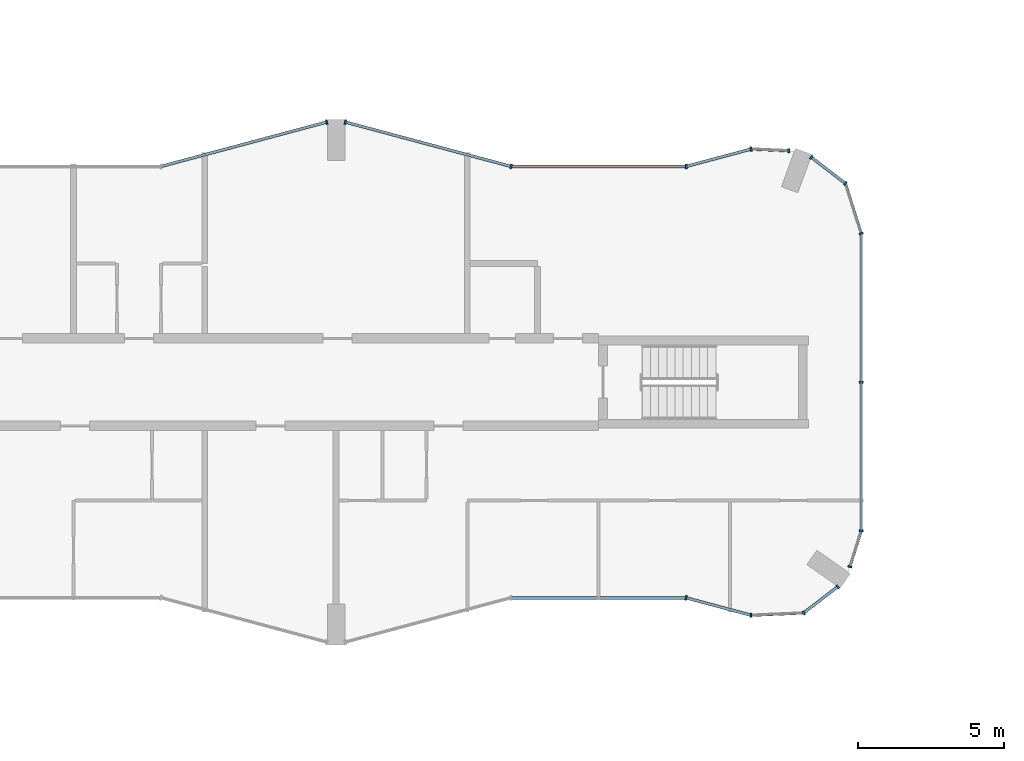
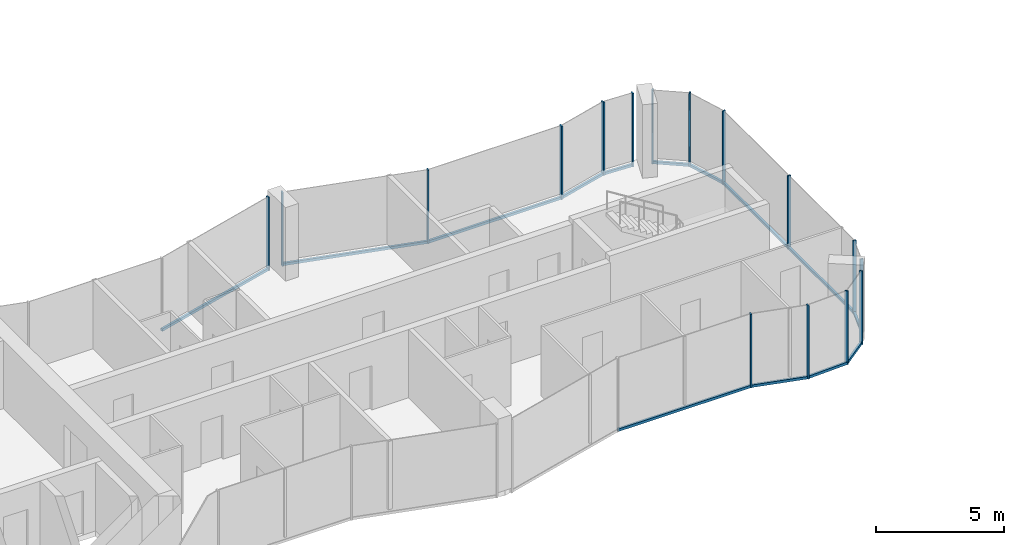
# One storey, part 5 of 22: 29 members, 13 elements without a shape of their own.
"""IFC4 building model written with IfcOpenShell, lengths in metres."""

from ifc_helpers import new_model, si_unit, direction, frame, origin, origin_2d, place, context, subcontext, project, spatial, rectangle, extrude, material, layer, layer_set, material_profile, profile_set, type_object, element, aggregate, save


model = new_model("IFC4")

# Units and contexts
model_context = context("Model", 3, precision=1e-05, world=origin(), true_north=direction((0.0, 1.0)))
body_context = subcontext(model_context, "Body", "Model", "MODEL_VIEW")
ifc_project = project(units=[si_unit("LENGTHUNIT", "METRE"), si_unit("AREAUNIT", "SQUARE_METRE"), si_unit("VOLUMEUNIT", "CUBIC_METRE"), si_unit("PLANEANGLEUNIT", "RADIAN"), si_unit("MASSUNIT", "GRAM", prefix="KILO")], contexts=[model_context])

# Site, building, storey
site_placement = place(None, origin())
site = spatial("IfcSite", under=ifc_project, at=site_placement, CompositionType="ELEMENT")
building_placement = place(site_placement, origin())
building = spatial("IfcBuilding", under=site, at=building_placement, Name="Plateau Cross Towers", CompositionType="ELEMENT")
storey_placement = place(building_placement, frame((0.0, 0.0, 113.300048828125)))
storey = spatial("IfcBuildingStorey", under=building, at=storey_placement, Name="L29", CompositionType="ELEMENT", Elevation=113.300048828125)

# Curtain wall, member
ifc_material_1 = material(Name="Dark low-iron glass", Category="glass")
ifc_layer_1 = layer(ifc_material_1, 0.239990234375)
ifc_layer_set_1 = layer_set([ifc_layer_1], Name="Dark low-iron glass")
curtain_wall_type_1 = type_object("IfcCurtainWallType", Name="Curtain wall flush unitised CW-B", PredefinedType="NOTDEFINED", material=ifc_layer_set_1)
curtain_wall_1_placement = place(storey_placement, origin())
curtain_wall_1 = element("IfcCurtainWall", 1, at=curtain_wall_1_placement, inside=storey, type_object=curtain_wall_type_1, Name="ENV/A/L29/A502_10", PredefinedType="NOTDEFINED")
ifc_material_2 = material(Name="Black anodised aluminium", Category="aluminium")
ifc_material_profile_1 = material_profile(ifc_material_2, rectangle(XDim=0.06005859375, YDim=0.139892578125, at=origin_2d()), Name="MULLION 60x140")
ifc_profile_set_1 = profile_set([ifc_material_profile_1], Name="Black anodised aluminium")
member_type_1 = type_object("IfcMemberType", Name="Mullion 60x140 flush unitised", PredefinedType="MULLION", material=ifc_profile_set_1)
member_1_placement = place(storey_placement, frame((50.223876953125, 1.01123046875, -0.25), z_axis=(0.0, 0.0, 1.0), x_axis=(0.999043701491, 0.043722791671, 0.0)))
member_1 = element("IfcMember", 2, at=member_1_placement, type_object=member_type_1, Name="CW-B mullion 1", PredefinedType="MULLION", context=body_context, shape_type="SweptSolid", body=[
    extrude(rectangle(XDim=0.06005859375, YDim=0.139892578125, at=origin_2d()), origin(), (0.0, 0.0, 1.0), 3.5),
])

# Curtain wall, members
curtain_wall_2_placement = place(storey_placement, origin())
curtain_wall_2 = element("IfcCurtainWall", 3, at=curtain_wall_2_placement, inside=storey, type_object=curtain_wall_type_1, Name="ENV/A/L29/A520_11", PredefinedType="NOTDEFINED")
member_2_placement = place(storey_placement, frame((52.0263671875, 1.090087890625, -0.25), z_axis=(0.0, 0.0, 1.0), x_axis=(0.793315514529, 0.608810721331, 0.0)))
member_2 = element("IfcMember", 4, at=member_2_placement, type_object=member_type_1, Name="CW-B mullion 1", PredefinedType="MULLION", context=body_context, shape_type="SweptSolid", body=[
    extrude(rectangle(XDim=0.06005859375, YDim=0.139892578125, at=origin_2d()), origin(), (0.0, 0.0, 1.0), 3.5),
])
member_3_placement = place(storey_placement, frame((53.193603515625, 1.986083984375, -0.25), z_axis=(0.0, 0.0, 1.0), x_axis=(0.793315514529, 0.608810721331, 0.0)))
member_3 = element("IfcMember", 5, at=member_3_placement, type_object=member_type_1, Name="CW-B mullion 2", PredefinedType="MULLION", context=body_context, shape_type="SweptSolid", body=[
    extrude(rectangle(XDim=0.06005859375, YDim=0.139892578125, at=origin_2d()), origin(), (0.0, 0.0, 1.0), 3.5),
])

# Curtain wall, member
curtain_wall_3_placement = place(storey_placement, origin())
curtain_wall_3 = element("IfcCurtainWall", 6, at=curtain_wall_3_placement, inside=storey, type_object=curtain_wall_type_1, Name="ENV/A/L29/A536_27", PredefinedType="NOTDEFINED")
member_4_placement = place(storey_placement, frame((53.611083984375, 2.67529296875, -0.25), z_axis=(0.0, 0.0, 1.0), x_axis=(0.300686174994, 0.95372313811, 0.0)))
member_4 = element("IfcMember", 7, at=member_4_placement, type_object=member_type_1, Name="CW-B mullion 1", PredefinedType="MULLION", context=body_context, shape_type="SweptSolid", body=[
    extrude(rectangle(XDim=0.06005859375, YDim=0.139892578125, at=origin_2d()), origin(), (0.0, 0.0, 1.0), 3.5),
])

# Curtain wall, members
curtain_wall_4_placement = place(storey_placement, origin())
curtain_wall_4 = element("IfcCurtainWall", 8, at=curtain_wall_4_placement, inside=storey, type_object=curtain_wall_type_1, Name="ENV/A/L29/A540_39", PredefinedType="NOTDEFINED")
member_5_placement = place(storey_placement, frame((54.0, 3.9091796875, -0.25), z_axis=(0.0, 0.0, 1.0), x_axis=(0.0, 1.0, 0.0)))
member_5 = element("IfcMember", 9, at=member_5_placement, type_object=member_type_1, Name="CW-B mullion 1", PredefinedType="MULLION", context=body_context, shape_type="SweptSolid", body=[
    extrude(rectangle(XDim=0.06005859375, YDim=0.139892578125, at=origin_2d()), origin(), (0.0, 0.0, 1.0), 3.5),
])
member_6_placement = place(storey_placement, frame((54.0, 9.0, -0.25), z_axis=(0.0, 0.0, 1.0), x_axis=(0.0, 1.0, 0.0)))
member_6 = element("IfcMember", 10, at=member_6_placement, type_object=member_type_1, Name="CW-B mullion 2", PredefinedType="MULLION", context=body_context, shape_type="SweptSolid", body=[
    extrude(rectangle(XDim=0.06005859375, YDim=0.139892578125, at=origin_2d()), origin(), (0.0, 0.0, 1.0), 3.5),
])

# Curtain wall, member
curtain_wall_5_placement = place(storey_placement, origin())
curtain_wall_5 = element("IfcCurtainWall", 11, at=curtain_wall_5_placement, inside=storey, type_object=curtain_wall_type_1, Name="ENV/A/L29/A540_141", PredefinedType="NOTDEFINED")
member_7_placement = place(storey_placement, frame((54.0, 14.0908203125, -0.25), z_axis=(0.0, 0.0, 1.0), x_axis=(-0.300686174994, 0.95372313811, 0.0)))
member_7 = element("IfcMember", 12, at=member_7_placement, type_object=member_type_1, Name="CW-B mullion 1", PredefinedType="MULLION", context=body_context, shape_type="SweptSolid", body=[
    extrude(rectangle(XDim=0.06005859375, YDim=0.139892578125, at=origin_2d()), origin(), (0.0, 0.0, 1.0), 3.5),
])

# Curtain wall, members
curtain_wall_6_placement = place(storey_placement, origin())
curtain_wall_6 = element("IfcCurtainWall", 13, at=curtain_wall_6_placement, inside=storey, type_object=curtain_wall_type_1, Name="ENV/A/L29/A535_158", PredefinedType="NOTDEFINED")
member_8_placement = place(storey_placement, frame((53.45751953125, 15.8115234375, -0.25), z_axis=(0.0, 0.0, 1.0), x_axis=(-0.793315514529, 0.608810721331, 0.0)))
member_8 = element("IfcMember", 14, at=member_8_placement, type_object=member_type_1, Name="CW-B mullion 1", PredefinedType="MULLION", context=body_context, shape_type="SweptSolid", body=[
    extrude(rectangle(XDim=0.06005859375, YDim=0.139892578125, at=origin_2d()), origin(), (0.0, 0.0, 1.0), 3.5),
])
member_9_placement = place(storey_placement, frame((52.290283203125, 16.707275390625, -0.25), z_axis=(0.0, 0.0, 1.0), x_axis=(-0.793315514529, 0.608810721331, 0.0)))
member_9 = element("IfcMember", 15, at=member_9_placement, type_object=member_type_1, Name="CW-B mullion 2", PredefinedType="MULLION", context=body_context, shape_type="SweptSolid", body=[
    extrude(rectangle(XDim=0.06005859375, YDim=0.139892578125, at=origin_2d()), origin(), (0.0, 0.0, 1.0), 3.5),
])

# Curtain wall, member
curtain_wall_7_placement = place(storey_placement, origin())
curtain_wall_7 = element("IfcCurtainWall", 16, at=curtain_wall_7_placement, inside=storey, type_object=curtain_wall_type_1, Name="ENV/A/L29/A515_169", PredefinedType="NOTDEFINED")
member_10_placement = place(storey_placement, frame((51.516357421875, 16.93212890625, -0.25), z_axis=(0.0, 0.0, 1.0), x_axis=(-0.999043701491, 0.043722791671, 0.0)))
member_10 = element("IfcMember", 17, at=member_10_placement, type_object=member_type_1, Name="CW-B mullion 1", PredefinedType="MULLION", context=body_context, shape_type="SweptSolid", body=[
    extrude(rectangle(XDim=0.06005859375, YDim=0.139892578125, at=origin_2d()), origin(), (0.0, 0.0, 1.0), 3.5),
])

ifc_layer_2 = layer(ifc_material_1, 0.260009765625)
ifc_layer_set_2 = layer_set([ifc_layer_2], Name="Dark low-iron glass")
curtain_wall_type_2 = type_object("IfcCurtainWallType", Name="Curtain wall fluted unitised CW-A", PredefinedType="NOTDEFINED", material=ifc_layer_set_2)
curtain_wall_8_placement = place(storey_placement, origin())
curtain_wall_8 = element("IfcCurtainWall", 18, at=curtain_wall_8_placement, inside=storey, type_object=curtain_wall_type_2, Name="ENV/A/L29/A480_16", PredefinedType="NOTDEFINED")
ifc_material_profile_2 = material_profile(ifc_material_2, rectangle(XDim=0.06005859375, YDim=0.159912109375, at=origin_2d()), Name="MULLION 60x160")
ifc_profile_set_2 = profile_set([ifc_material_profile_2], Name="Black anodised aluminium")
member_type_2 = type_object("IfcMemberType", Name="Mullion 60x160 fluted unitised", PredefinedType="MULLION", material=ifc_profile_set_2)
member_11_placement = place(storey_placement, frame((48.0, 1.60693359375, -0.25), z_axis=(0.0, 0.0, 1.0), x_axis=(0.965957962328, -0.258699081978, 0.0)))
member_11 = element("IfcMember", 19, at=member_11_placement, type_object=member_type_2, Name="CW-A mullion 1", PredefinedType="MULLION", context=body_context, shape_type="SweptSolid", body=[
    extrude(rectangle(XDim=0.06005859375, YDim=0.159912109375, at=origin_2d()), origin(), (0.0, 0.0, 1.0), 3.5),
])

curtain_wall_9_placement = place(storey_placement, origin())
curtain_wall_9 = element("IfcCurtainWall", 20, at=curtain_wall_9_placement, inside=storey, type_object=curtain_wall_type_2, Name="ENV/A/L29/A502_170", PredefinedType="NOTDEFINED")
member_12_placement = place(storey_placement, frame((50.223876953125, 16.98876953125, -0.25), z_axis=(0.0, 0.0, 1.0), x_axis=(-0.965957962328, -0.258699081978, 0.0)))
member_12 = element("IfcMember", 21, at=member_12_placement, type_object=member_type_2, Name="CW-A mullion 1", PredefinedType="MULLION", context=body_context, shape_type="SweptSolid", body=[
    extrude(rectangle(XDim=0.06005859375, YDim=0.159912109375, at=origin_2d()), origin(), (0.0, 0.0, 1.0), 3.5),
])

curtain_wall_10_placement = place(storey_placement, origin())
curtain_wall_10 = element("IfcCurtainWall", 22, at=curtain_wall_10_placement, inside=storey, type_object=curtain_wall_type_2, Name="ENV/A/L29/A480_164", PredefinedType="NOTDEFINED")
member_13_placement = place(storey_placement, frame((48.0, 16.39306640625, -0.25), z_axis=(0.0, 0.0, 1.0), x_axis=(-1.0, 0.0, 0.0)))
member_13 = element("IfcMember", 23, at=member_13_placement, type_object=member_type_2, Name="CW-A mullion 1", PredefinedType="MULLION", context=body_context, shape_type="SweptSolid", body=[
    extrude(rectangle(XDim=0.06005859375, YDim=0.159912109375, at=origin_2d()), origin(), (0.0, 0.0, 1.0), 3.5),
])

# Curtain wall, members
curtain_wall_11_placement = place(storey_placement, origin())
curtain_wall_11 = element("IfcCurtainWall", 24, at=curtain_wall_11_placement, inside=storey, type_object=curtain_wall_type_2, Name="ENV/A/L29/A420_164", PredefinedType="NOTDEFINED")
member_14_placement = place(storey_placement, frame((42.0, 16.39306640625, -0.25), z_axis=(0.0, 0.0, 1.0), x_axis=(-0.965957983404, 0.258699003279, 0.0)))
member_14 = element("IfcMember", 25, at=member_14_placement, type_object=member_type_2, Name="CW-A mullion 1", PredefinedType="MULLION", context=body_context, shape_type="SweptSolid", body=[
    extrude(rectangle(XDim=0.06005859375, YDim=0.159912109375, at=origin_2d()), origin(), (0.0, 0.0, 1.0), 3.5),
])
member_15_placement = place(storey_placement, frame((36.31787109375, 17.914794921875, -0.25), z_axis=(0.0, 0.0, 1.0), x_axis=(-0.965957983404, 0.258699003279, 0.0)))
member_15 = element("IfcMember", 26, at=member_15_placement, type_object=member_type_2, Name="CW-A mullion 2", PredefinedType="MULLION", context=body_context, shape_type="SweptSolid", body=[
    extrude(rectangle(XDim=0.06005859375, YDim=0.159912109375, at=origin_2d()), origin(), (0.0, 0.0, 1.0), 3.5),
])

# Curtain wall, member
curtain_wall_12_placement = place(storey_placement, origin())
curtain_wall_12 = element("IfcCurtainWall", 27, at=curtain_wall_12_placement, inside=storey, type_object=curtain_wall_type_2, Name="ENV/A/L29/A357_179", PredefinedType="NOTDEFINED")
member_16_placement = place(storey_placement, frame((35.68212890625, 17.914794921875, -0.25), z_axis=(0.0, 0.0, 1.0), x_axis=(-0.965957983404, -0.258699003279, 0.0)))
member_16 = element("IfcMember", 28, at=member_16_placement, type_object=member_type_2, Name="CW-A mullion 1", PredefinedType="MULLION", context=body_context, shape_type="SweptSolid", body=[
    extrude(rectangle(XDim=0.06005859375, YDim=0.159912109375, at=origin_2d()), origin(), (0.0, 0.0, 1.0), 3.5),
])

# Member
ifc_material_profile_3 = material_profile(ifc_material_2, rectangle(XDim=0.10009765625, YDim=0.1201171875, at=origin_2d()), Name="TRANSOM 100x120")
ifc_profile_set_3 = profile_set([ifc_material_profile_3], Name="Black anodised aluminium")
member_type_3 = type_object("IfcMemberType", Name="Transom 100x120 flush unitised", PredefinedType="USERDEFINED", material=ifc_profile_set_3)
member_17_placement = place(storey_placement, frame((50.223876953125, 1.01123046875, -0.18994140625), z_axis=(0.999044377355, 0.043707345779, 0.0), x_axis=(-0.043707345779, 0.999044377355, 0.0)))
member_17 = element("IfcMember", 29, at=member_17_placement, type_object=member_type_3, Name="CW-B transom", ObjectType="TRANSOM", PredefinedType="USERDEFINED", context=body_context, shape_type="SweptSolid", body=[
    extrude(rectangle(XDim=0.10009765625, YDim=0.1201171875, at=origin_2d()), origin(), (0.0, 0.0, 1.0), 1.80419921875),
])

aggregate(curtain_wall_1, [member_1, member_17])

member_18_placement = place(storey_placement, frame((52.0263671875, 1.090087890625, -0.18994140625), z_axis=(0.793240368515, 0.608908628415, 0.0), x_axis=(-0.608908628415, 0.793240368515, 0.0)))
member_18 = element("IfcMember", 30, at=member_18_placement, type_object=member_type_3, Name="CW-B transom", ObjectType="TRANSOM", PredefinedType="USERDEFINED", context=body_context, shape_type="SweptSolid", body=[
    extrude(rectangle(XDim=0.10009765625, YDim=0.1201171875, at=origin_2d()), origin(), (0.0, 0.0, 1.0), 1.471435546875),
])

aggregate(curtain_wall_2, [member_2, member_3, member_18])

member_19_placement = place(storey_placement, frame((53.611083984375, 2.67529296875, -0.18994140625), z_axis=(0.300616528216, 0.953745093284, 0.0), x_axis=(-0.953745093284, 0.300616528216, 0.0)))
member_19 = element("IfcMember", 31, at=member_19_placement, type_object=member_type_3, Name="CW-B transom", ObjectType="TRANSOM", PredefinedType="USERDEFINED", context=body_context, shape_type="SweptSolid", body=[
    extrude(rectangle(XDim=0.10009765625, YDim=0.1201171875, at=origin_2d()), origin(), (0.0, 0.0, 1.0), 1.293701171875),
])

aggregate(curtain_wall_3, [member_4, member_19])

member_20_placement = place(storey_placement, frame((54.0, 3.9091796875, -0.18994140625), z_axis=(0.0, 1.0, 0.0), x_axis=(-1.0, 0.0, 0.0)))
member_20 = element("IfcMember", 32, at=member_20_placement, type_object=member_type_3, Name="CW-B transom", ObjectType="TRANSOM", PredefinedType="USERDEFINED", context=body_context, shape_type="SweptSolid", body=[
    extrude(rectangle(XDim=0.10009765625, YDim=0.1201171875, at=origin_2d()), origin(), (0.0, 0.0, 1.0), 10.181640625),
])

aggregate(curtain_wall_4, [member_5, member_6, member_20])

member_21_placement = place(storey_placement, frame((54.0, 14.0908203125, -0.18994140625), z_axis=(-0.30067799945, 0.953725715626, 0.0), x_axis=(-0.953725715626, -0.30067799945, 0.0)))
member_21 = element("IfcMember", 33, at=member_21_placement, type_object=member_type_3, Name="CW-B transom", ObjectType="TRANSOM", PredefinedType="USERDEFINED", context=body_context, shape_type="SweptSolid", body=[
    extrude(rectangle(XDim=0.10009765625, YDim=0.1201171875, at=origin_2d()), origin(), (0.0, 0.0, 1.0), 1.80419921875),
])

aggregate(curtain_wall_5, [member_7, member_21])

member_22_placement = place(storey_placement, frame((53.45751953125, 15.8115234375, -0.18994140625), z_axis=(-0.793320508571, 0.608804213751, 0.0), x_axis=(-0.608804213751, -0.793320508571, 0.0)))
member_22 = element("IfcMember", 34, at=member_22_placement, type_object=member_type_3, Name="CW-B transom", ObjectType="TRANSOM", PredefinedType="USERDEFINED", context=body_context, shape_type="SweptSolid", body=[
    extrude(rectangle(XDim=0.10009765625, YDim=0.1201171875, at=origin_2d()), origin(), (0.0, 0.0, 1.0), 1.471435546875),
])

aggregate(curtain_wall_6, [member_8, member_9, member_22])

member_23_placement = place(storey_placement, frame((51.516357421875, 16.93212890625, -0.18994140625), z_axis=(-0.999041144614, 0.043781175963, 0.0), x_axis=(-0.043781175963, -0.999041144614, 0.0)))
member_23 = element("IfcMember", 35, at=member_23_placement, type_object=member_type_3, Name="CW-B transom", ObjectType="TRANSOM", PredefinedType="USERDEFINED", context=body_context, shape_type="SweptSolid", body=[
    extrude(rectangle(XDim=0.10009765625, YDim=0.1201171875, at=origin_2d()), origin(), (0.0, 0.0, 1.0), 1.293701171875),
])

aggregate(curtain_wall_7, [member_10, member_23])

# Curtain wall, member
curtain_wall_13_placement = place(storey_placement, origin())
curtain_wall_13 = element("IfcCurtainWall", 36, at=curtain_wall_13_placement, inside=storey, type_object=curtain_wall_type_2, Name="ENV/A/L29/A420_16", PredefinedType="NOTDEFINED")
ifc_material_profile_4 = material_profile(ifc_material_2, rectangle(XDim=0.10009765625, YDim=0.1201171875, at=origin_2d()), Name="TRANSOM 100x120")
ifc_profile_set_4 = profile_set([ifc_material_profile_4], Name="Black anodised aluminium")
member_type_4 = type_object("IfcMemberType", Name="Transom 100x120 fluted unitised", PredefinedType="USERDEFINED", material=ifc_profile_set_4)
member_24_placement = place(storey_placement, frame((42.0, 1.60693359375, -0.18994140625), z_axis=(1.0, 0.0, 0.0), x_axis=(0.0, 1.0, 0.0)))
member_24 = element("IfcMember", 37, at=member_24_placement, type_object=member_type_4, Name="CW-A transom", ObjectType="TRANSOM", PredefinedType="USERDEFINED", context=body_context, shape_type="SweptSolid", body=[
    extrude(rectangle(XDim=0.10009765625, YDim=0.1201171875, at=origin_2d()), origin(), (0.0, 0.0, 1.0), 6.0),
])
aggregate(curtain_wall_13, [member_24])

# Member
member_25_placement = place(storey_placement, frame((48.0, 1.60693359375, -0.18994140625), z_axis=(0.965945685136, -0.258744919501, 0.0), x_axis=(0.258744919501, 0.965945685136, 0.0)))
member_25 = element("IfcMember", 38, at=member_25_placement, type_object=member_type_4, Name="CW-A transom", ObjectType="TRANSOM", PredefinedType="USERDEFINED", context=body_context, shape_type="SweptSolid", body=[
    extrude(rectangle(XDim=0.10009765625, YDim=0.1201171875, at=origin_2d()), origin(), (0.0, 0.0, 1.0), 2.30224609375),
])

aggregate(curtain_wall_8, [member_11, member_25])

member_26_placement = place(storey_placement, frame((50.223876953125, 16.98876953125, -0.18994140625), z_axis=(-0.965945685136, -0.258744919501, 0.0), x_axis=(0.258744919501, -0.965945685136, 0.0)))
member_26 = element("IfcMember", 39, at=member_26_placement, type_object=member_type_4, Name="CW-A transom", ObjectType="TRANSOM", PredefinedType="USERDEFINED", context=body_context, shape_type="SweptSolid", body=[
    extrude(rectangle(XDim=0.10009765625, YDim=0.1201171875, at=origin_2d()), origin(), (0.0, 0.0, 1.0), 2.30224609375),
])

aggregate(curtain_wall_9, [member_12, member_26])

member_27_placement = place(storey_placement, frame((48.0, 16.39306640625, -0.18994140625), z_axis=(-1.0, 0.0, 0.0), x_axis=(0.0, -1.0, 0.0)))
member_27 = element("IfcMember", 40, at=member_27_placement, type_object=member_type_4, Name="CW-A transom", ObjectType="TRANSOM", PredefinedType="USERDEFINED", context=body_context, shape_type="SweptSolid", body=[
    extrude(rectangle(XDim=0.10009765625, YDim=0.1201171875, at=origin_2d()), origin(), (0.0, 0.0, 1.0), 6.0),
])

aggregate(curtain_wall_10, [member_13, member_27])

member_28_placement = place(storey_placement, frame((42.0, 16.39306640625, -0.18994140625), z_axis=(-0.965959534794, 0.258693210465, 0.0), x_axis=(-0.258693210465, -0.965959534794, 0.0)))
member_28 = element("IfcMember", 41, at=member_28_placement, type_object=member_type_4, Name="CW-A transom", ObjectType="TRANSOM", PredefinedType="USERDEFINED", context=body_context, shape_type="SweptSolid", body=[
    extrude(rectangle(XDim=0.10009765625, YDim=0.1201171875, at=origin_2d()), origin(), (0.0, 0.0, 1.0), 5.88232421875),
])

aggregate(curtain_wall_11, [member_14, member_15, member_28])

member_29_placement = place(storey_placement, frame((35.68212890625, 17.914794921875, -0.18994140625), z_axis=(-0.965959534794, -0.258693210465, 0.0), x_axis=(0.258693210465, -0.965959534794, 0.0)))
member_29 = element("IfcMember", 42, at=member_29_placement, type_object=member_type_4, Name="CW-A transom", ObjectType="TRANSOM", PredefinedType="USERDEFINED", context=body_context, shape_type="SweptSolid", body=[
    extrude(rectangle(XDim=0.10009765625, YDim=0.1201171875, at=origin_2d()), origin(), (0.0, 0.0, 1.0), 5.88232421875),
])

aggregate(curtain_wall_12, [member_16, member_29])

save(model, "model.ifc")
